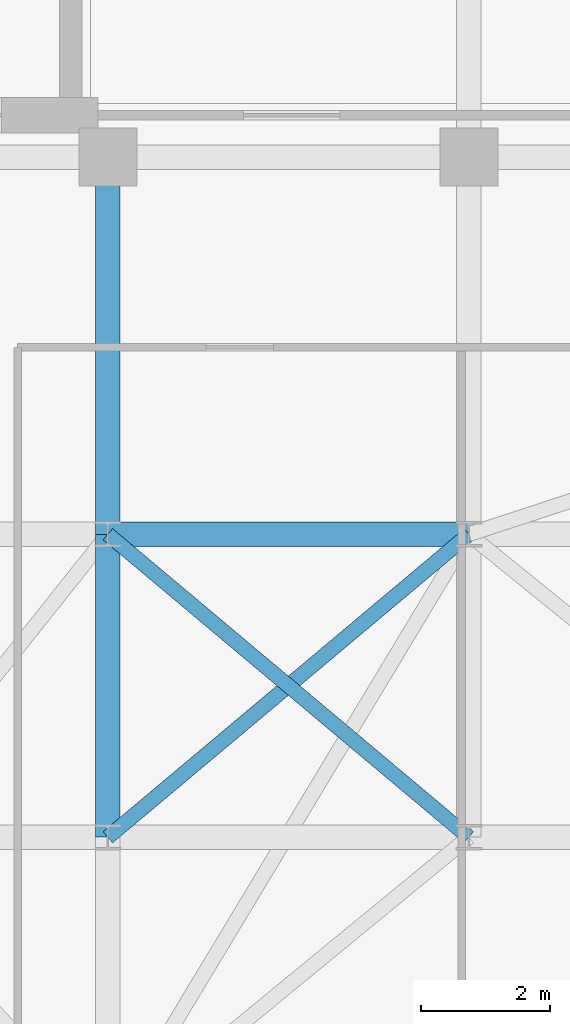
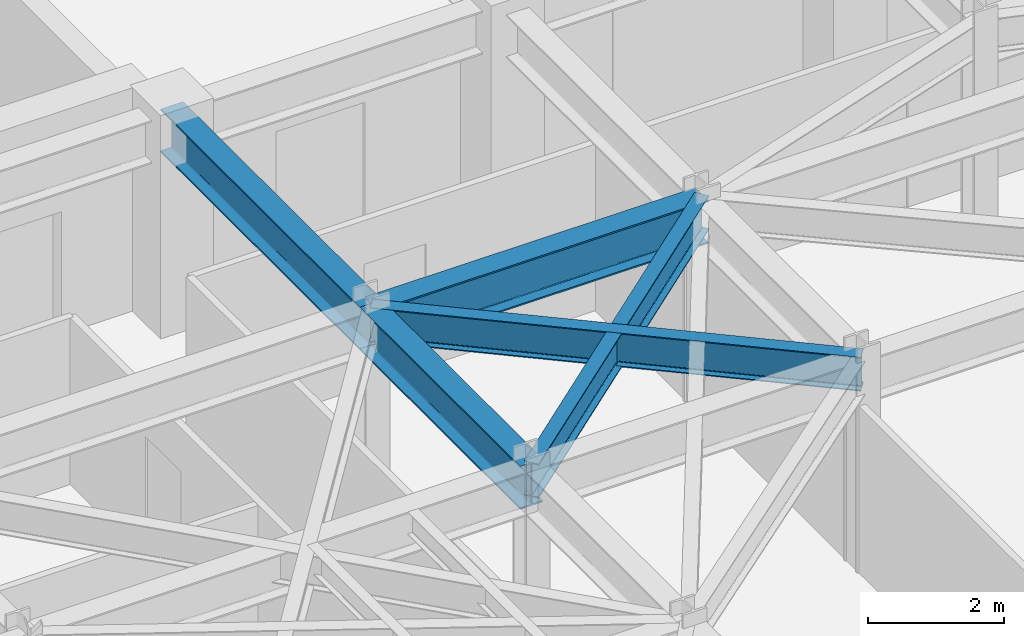
# One storey, part 11 of 26: 5 beams.
"""IFC4 building model written with IfcOpenShell, lengths in metres."""

from ifc_helpers import new_model, si_unit, direction, frame, origin, origin_2d, place, context, subcontext, project, spatial, i_section, extrude, material, material_profile, profile_set, type_object, element, save


model = new_model("IFC4")

# Units and contexts
model_context = context("Model", 3, precision=1e-05, world=origin(), true_north=direction((0.0, 1.0)))
body_context = subcontext(model_context, "Body", "Model", "MODEL_VIEW")
ifc_project = project(units=[si_unit("LENGTHUNIT", "METRE"), si_unit("AREAUNIT", "SQUARE_METRE"), si_unit("VOLUMEUNIT", "CUBIC_METRE"), si_unit("PLANEANGLEUNIT", "RADIAN"), si_unit("MASSUNIT", "GRAM", prefix="KILO")], contexts=[model_context])

# Site, building, storey
site_placement = place(None, origin())
site = spatial("IfcSite", under=ifc_project, at=site_placement, CompositionType="ELEMENT")
building_placement = place(site_placement, origin())
building = spatial("IfcBuilding", under=site, at=building_placement, Name="Kravanh Interchange Tower", CompositionType="ELEMENT")
storey_placement = place(building_placement, frame((0.0, 0.0, 212.5)))
storey = spatial("IfcBuildingStorey", under=building, at=storey_placement, Name="L51", CompositionType="ELEMENT", Elevation=212.5)

# Beams
ifc_material_1 = material(Name="Structural Steel S355", Category="steel")
ifc_material_profile_1 = material_profile(ifc_material_1, i_section(OverallWidth=0.381103515625, OverallDepth=0.77294921875, WebThickness=0.0166015625, FlangeThickness=0.027099609375, FilletRadius=0.02490234375, at=origin_2d()), Name="W30X173")
ifc_profile_set_1 = profile_set([ifc_material_profile_1], Name="Structural Steel S355")
beam_type_1 = type_object("IfcBeamType", Name="Floor Beam W30X173 Structural Steel S355", PredefinedType="BEAM", material=ifc_profile_set_1)
beam_1_placement = place(storey_placement, frame((27.199951171875, 37.35009765625, 3.368408203125), z_axis=(0.0, -1.0, 0.0), x_axis=(1.0, 0.0, 0.0)))
element("IfcBeam", 1, at=beam_1_placement, inside=storey, type_object=beam_type_1, Name="L51 Primary Floor Girder 24", PredefinedType="BEAM", context=body_context, shape_type="SweptSolid", body=[
    extrude(i_section(OverallWidth=0.381103515625, OverallDepth=0.77294921875, WebThickness=0.0166015625, FlangeThickness=0.027099609375, FilletRadius=0.02490234375, at=origin_2d()), origin(), (0.0, 0.0, 1.0), 5.85009765625),
])
beam_2_placement = place(storey_placement, frame((27.199951171875, 26.800048828125, 3.368408203125), z_axis=(0.0, 1.0, 0.0), x_axis=(-1.0, 0.0, 0.0)))
element("IfcBeam", 2, at=beam_2_placement, inside=storey, type_object=beam_type_1, Name="L51 Primary Floor Girder 38", PredefinedType="BEAM", context=body_context, shape_type="SweptSolid", body=[
    extrude(i_section(OverallWidth=0.381103515625, OverallDepth=0.77294921875, WebThickness=0.0166015625, FlangeThickness=0.027099609375, FilletRadius=0.02490234375, at=origin_2d()), origin(), (0.0, 0.0, 1.0), 4.699951171875),
])
beam_3_placement = place(storey_placement, frame((27.199951171875, 31.5, 3.368408203125), z_axis=(1.0, 0.0, 0.0), x_axis=(0.0, 1.0, 0.0)))
element("IfcBeam", 3, at=beam_3_placement, inside=storey, type_object=beam_type_1, Name="L51 Primary Floor Girder 64", PredefinedType="BEAM", context=body_context, shape_type="SweptSolid", body=[
    extrude(i_section(OverallWidth=0.381103515625, OverallDepth=0.77294921875, WebThickness=0.0166015625, FlangeThickness=0.027099609375, FilletRadius=0.02490234375, at=origin_2d()), origin(), (0.0, 0.0, 1.0), 5.60009765625),
])
ifc_material_2 = material(Name="Structural Steel S355", Category="steel")
ifc_material_profile_2 = material_profile(ifc_material_2, i_section(OverallWidth=0.22802734375, OverallDepth=0.60791015625, WebThickness=0.01123046875, FlangeThickness=0.017333984375, FilletRadius=0.02197265625, at=origin_2d()), Name="W24X76")
ifc_profile_set_2 = profile_set([ifc_material_profile_2], Name="Structural Steel S355")
beam_type_2 = type_object("IfcBeamType", Name="Floor Spandrel W24X76 Structural Steel S355", PredefinedType="SPANDREL", material=ifc_profile_set_2)
for number, where, z_axis, x_axis, name in (
    (4, (27.199951171875, 26.800048828125, 3.450927734375), (0.765983062929, 0.642860752657, 0.0), (-0.642860752657, 0.765983062929, 0.0), "L51 Perimeter Spandrel 40"),
    (5, (32.800048828125, 26.800048828125, 3.450927734375), (-0.765983062929, 0.642860752657, 0.0), (-0.642860752657, -0.765983062929, 0.0), "L51 Perimeter Spandrel 44"),
):
    element("IfcBeam", number, at=place(storey_placement, frame(where, z_axis=z_axis, x_axis=x_axis)), inside=storey, type_object=beam_type_2, Name=name, PredefinedType="SPANDREL", context=body_context, shape_type="SweptSolid", body=[
        extrude(i_section(OverallWidth=0.22802734375, OverallDepth=0.60791015625, WebThickness=0.01123046875, FlangeThickness=0.017333984375, FilletRadius=0.02197265625, at=origin_2d()), origin(), (0.0, 0.0, 1.0), 7.31103515625),
    ])

save(model, "model.ifc")
